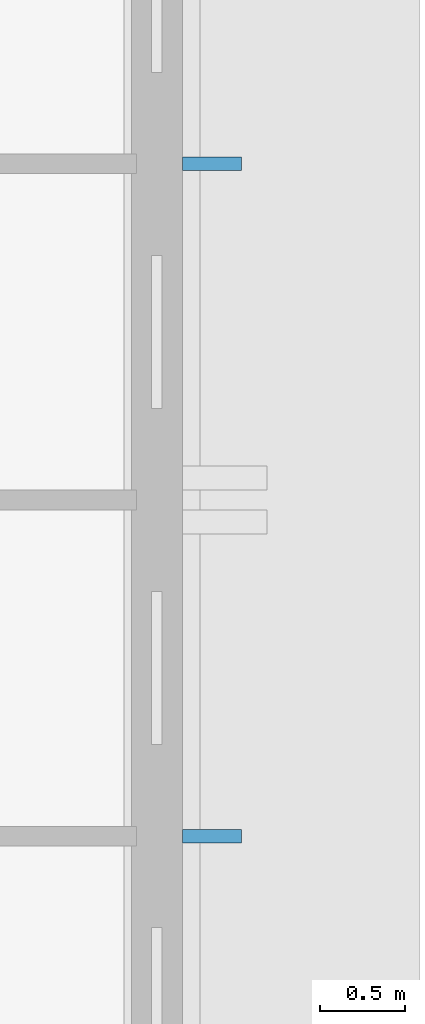
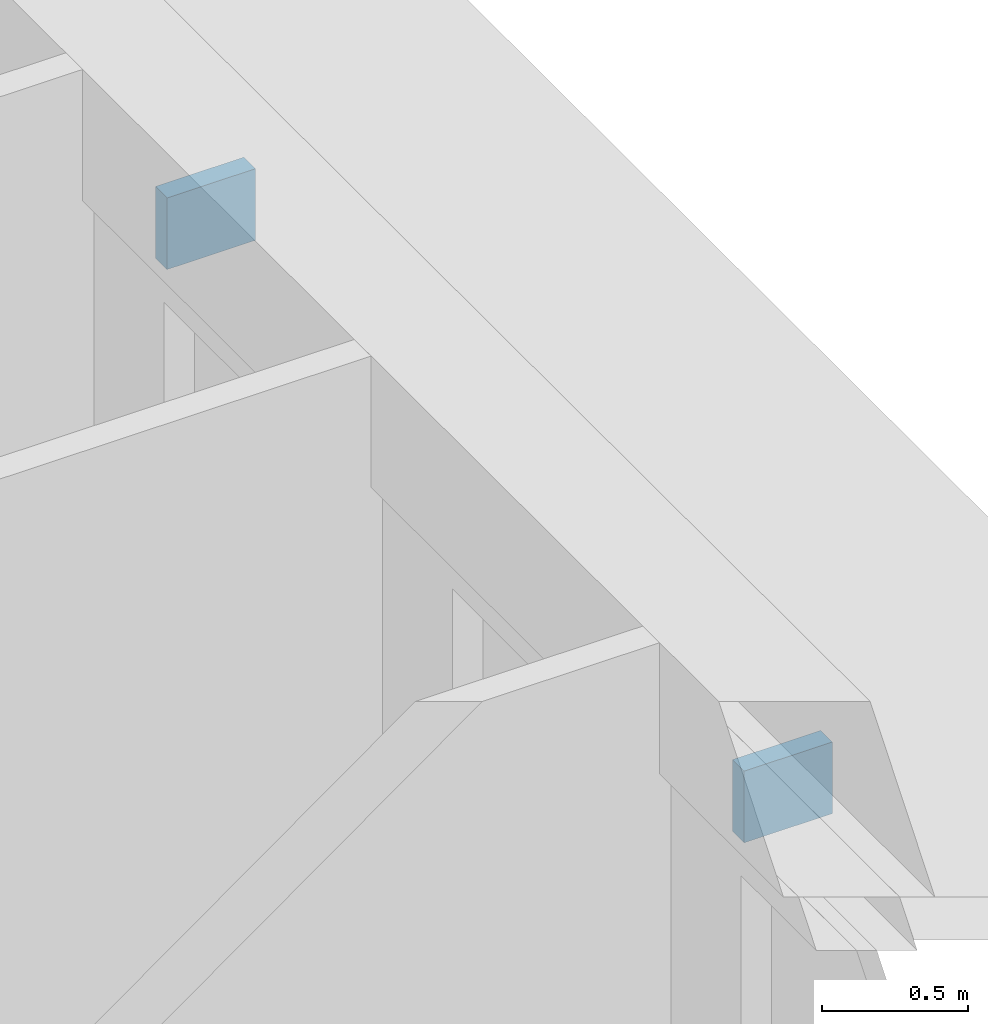
# One storey, part 54 of 70: 2 discrete accessories.
"""IFC4 building model written with IfcOpenShell, lengths in metres."""

from ifc_helpers import new_model, si_unit, direction, frame, origin, origin_2d, place, context, subcontext, project, spatial, rectangle, extrude, material, type_object, element, save


model = new_model("IFC4")

# Units and contexts
model_context = context("Model", 3, precision=1e-05, world=origin(), true_north=direction((0.0, 1.0)))
body_context = subcontext(model_context, "Body", "Model", "MODEL_VIEW")
ifc_project = project(units=[si_unit("LENGTHUNIT", "METRE"), si_unit("AREAUNIT", "SQUARE_METRE"), si_unit("VOLUMEUNIT", "CUBIC_METRE"), si_unit("PLANEANGLEUNIT", "RADIAN"), si_unit("MASSUNIT", "GRAM", prefix="KILO")], contexts=[model_context])

# Site, building, storey
site_placement = place(None, origin())
site = spatial("IfcSite", under=ifc_project, at=site_placement, CompositionType="ELEMENT")
building_placement = place(site_placement, origin())
building = spatial("IfcBuilding", under=site, at=building_placement, Name="Elbe Cascade School", CompositionType="ELEMENT")
storey_placement = place(building_placement, frame((0.0, 0.0, 8.10009765625)))
storey = spatial("IfcBuildingStorey", under=building, at=storey_placement, Name="L02", CompositionType="ELEMENT", Elevation=8.10009765625)

# Discrete accessories
ifc_material = material(Name="Steel S355J2, hot-dip galvanised", Category="steel")
discrete_accessory_type = type_object("IfcDiscreteAccessoryType", Name="Bars envelope Bracket, galvanised steel", PredefinedType="BRACKET", material=ifc_material)
for number, where, z_axis, x_axis, name in (
    (1, (145.594970703125, 53.52001953125, 2.330078125), (0.0, 0.0, 1.0), (0.0, 1.0, 0.0), "Bracket AC7 eave.e.6.br1"),
    (2, (145.594970703125, 57.47998046875, 2.330078125), (0.0, 0.0, 1.0), (0.0, 1.0, 0.0), "Bracket AC7 eave.e.6.br2"),
):
    element("IfcDiscreteAccessory", number, at=place(storey_placement, frame(where, z_axis=z_axis, x_axis=x_axis)), inside=storey, type_object=discrete_accessory_type, Name=name, PredefinedType="BRACKET", context=body_context, shape_type="SweptSolid", body=[
        extrude(rectangle(XDim=0.080078125, YDim=0.35009765625, at=origin_2d()), origin(), (0.0, 0.0, 1.0), 0.300048828125),
    ])

save(model, "model.ifc")
